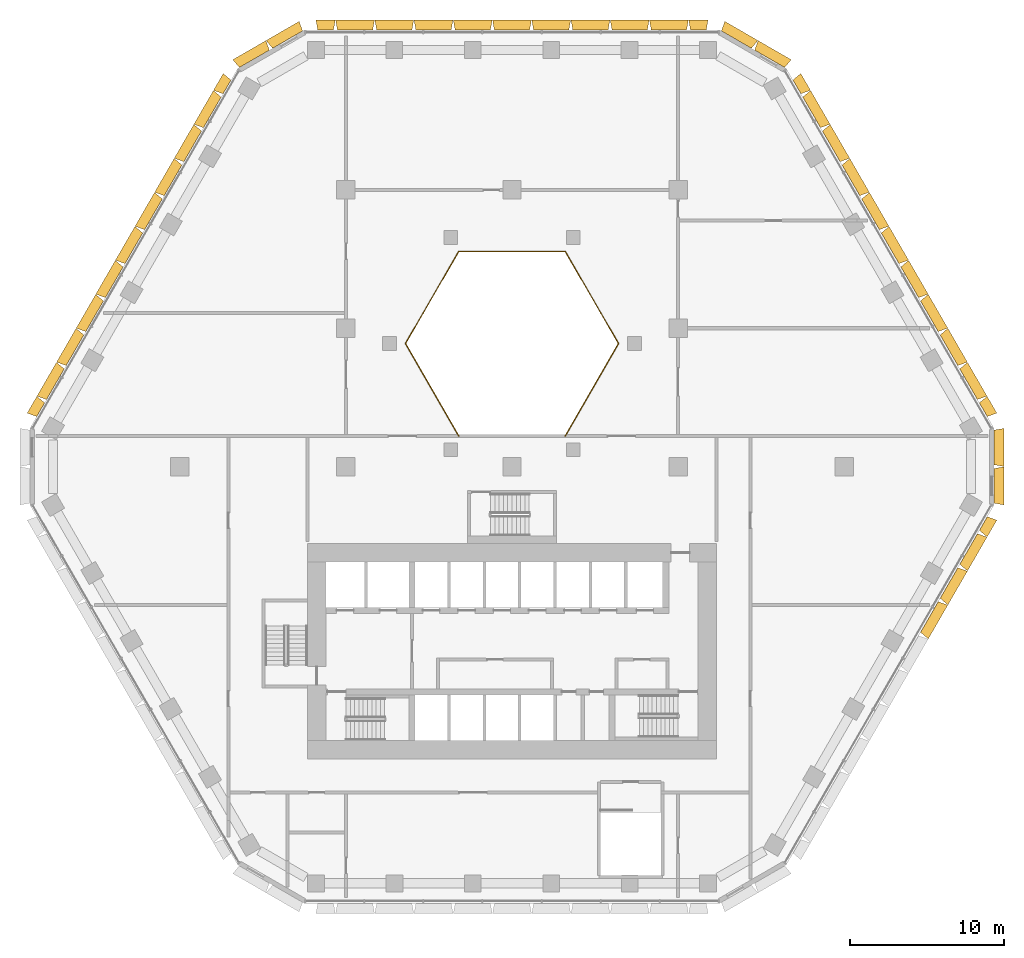
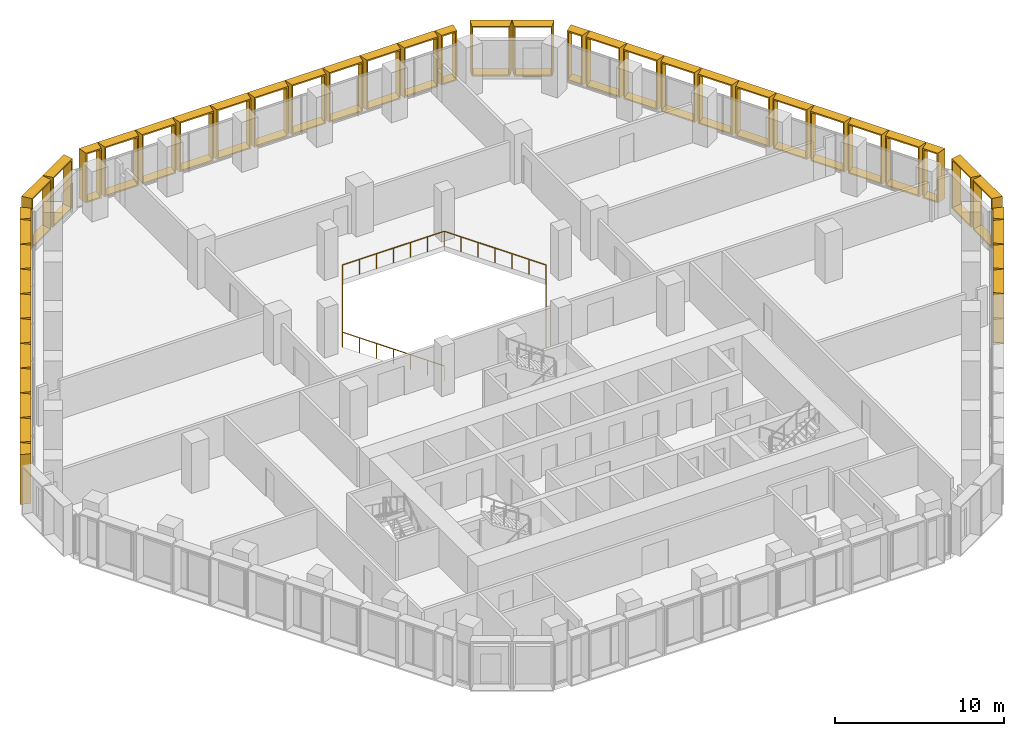
# One storey, part 21 of 21: 43 shading devices, 1 railing.
"""IFC4 building model written with IfcOpenShell, lengths in metres."""

from ifc_helpers import new_model, entity, si_unit, direction, frame, origin, origin_2d, place, context, subcontext, project, spatial, rectangle, extrude, source, transform, mapped, material, type_object, type_shapes, element, save


model = new_model("IFC4")

# Units and contexts
model_context = context("Model", 3, precision=1e-05, world=origin(), true_north=direction((0.0, 1.0)))
body_context = subcontext(model_context, "Body", "Model", "MODEL_VIEW")
ifc_project = project(units=[si_unit("LENGTHUNIT", "METRE"), si_unit("AREAUNIT", "SQUARE_METRE"), si_unit("VOLUMEUNIT", "CUBIC_METRE"), si_unit("PLANEANGLEUNIT", "RADIAN"), si_unit("MASSUNIT", "GRAM", prefix="KILO")], contexts=[model_context])

# Site, building, storey
site_placement = place(None, origin())
site = spatial("IfcSite", under=ifc_project, at=site_placement, CompositionType="ELEMENT")
building_placement = place(site_placement, origin())
building = spatial("IfcBuilding", under=site, at=building_placement, Name="Beryl Residences", CompositionType="ELEMENT")
storey_placement = place(building_placement, frame((0.0, 0.0, 19.800048828125)))
storey = spatial("IfcBuildingStorey", under=building, at=storey_placement, Name="L05", CompositionType="ELEMENT", Elevation=19.800048828125)

# Railing
ifc_material_1 = material(Name="Stainless steel balustrade with glass infill", Category="steel")
railing_type = type_object("IfcRailingType", Name="EG1 edge guard 1100 mm", PredefinedType="GUARDRAIL", material=ifc_material_1)
railing_placement = place(storey_placement, frame((3.464111328125, 2.0, 0.0)))
element("IfcRailing", 1, at=railing_placement, inside=storey, type_object=railing_type, Name="L05 guard 2", PredefinedType="GUARDRAIL", context=body_context, shape_type="SweptSolid", body=[
    extrude(rectangle(XDim=0.048095703125, YDim=0.048095703125, at=origin_2d()), frame((0.0, 0.0, 1.076171875), z_axis=(0.49997462182, 0.866040055388, 0.0), x_axis=(-0.866040055388, 0.49997462182, 0.0)), (0.0, 0.0, 1.0), 6.927978515625),
    extrude(rectangle(XDim=0.048095703125, YDim=0.048095703125, at=origin_2d()), frame((3.4638671875, 6.0, 1.076171875), z_axis=(-0.49997462182, 0.866040055388, 0.0), x_axis=(-0.866040055388, -0.49997462182, 0.0)), (0.0, 0.0, 1.0), 6.927978515625),
    extrude(rectangle(XDim=0.048095703125, YDim=0.048095703125, at=origin_2d()), frame((0.0, 12.0, 1.076171875), z_axis=(-1.0, 0.0, 0.0), x_axis=(0.0, -1.0, 0.0)), (0.0, 0.0, 1.0), 6.92822265625),
    extrude(rectangle(XDim=0.048095703125, YDim=0.048095703125, at=origin_2d()), frame((-6.92822265625, 12.0, 1.076171875), z_axis=(-0.49997462182, -0.866040055388, 0.0), x_axis=(0.866040055388, -0.49997462182, 0.0)), (0.0, 0.0, 1.0), 6.927978515625),
    extrude(rectangle(XDim=0.048095703125, YDim=0.048095703125, at=origin_2d()), frame((-10.39208984375, 6.0, 1.076171875), z_axis=(0.49997462182, -0.866040055388, 0.0), x_axis=(0.866040055388, 0.49997462182, 0.0)), (0.0, 0.0, 1.0), 6.927978515625),
    extrude(rectangle(XDim=0.0419921875, YDim=0.0419921875, at=origin_2d()), origin(), (0.0, 0.0, 1.0), 1.052001953125),
    extrude(rectangle(XDim=0.0419921875, YDim=0.0419921875, at=origin_2d()), frame((0.577392578125, 1.0, 0.0)), (0.0, 0.0, 1.0), 1.052001953125),
    extrude(rectangle(XDim=0.0419921875, YDim=0.0419921875, at=origin_2d()), frame((1.154541015625, 2.0, 0.0)), (0.0, 0.0, 1.0), 1.052001953125),
    extrude(rectangle(XDim=0.0419921875, YDim=0.0419921875, at=origin_2d()), frame((1.73193359375, 3.0, 0.0)), (0.0, 0.0, 1.0), 1.052001953125),
    extrude(rectangle(XDim=0.0419921875, YDim=0.0419921875, at=origin_2d()), frame((2.309326171875, 4.0, 0.0)), (0.0, 0.0, 1.0), 1.052001953125),
    extrude(rectangle(XDim=0.0419921875, YDim=0.0419921875, at=origin_2d()), frame((2.886474609375, 5.0, 0.0)), (0.0, 0.0, 1.0), 1.052001953125),
    extrude(rectangle(XDim=0.0419921875, YDim=0.0419921875, at=origin_2d()), frame((3.4638671875, 6.0, 0.0)), (0.0, 0.0, 1.0), 1.052001953125),
    extrude(rectangle(XDim=0.0419921875, YDim=0.0419921875, at=origin_2d()), frame((2.886474609375, 7.0, 0.0)), (0.0, 0.0, 1.0), 1.052001953125),
    extrude(rectangle(XDim=0.0419921875, YDim=0.0419921875, at=origin_2d()), frame((2.309326171875, 8.0, 0.0)), (0.0, 0.0, 1.0), 1.052001953125),
    extrude(rectangle(XDim=0.0419921875, YDim=0.0419921875, at=origin_2d()), frame((1.73193359375, 9.0, 0.0)), (0.0, 0.0, 1.0), 1.052001953125),
    extrude(rectangle(XDim=0.0419921875, YDim=0.0419921875, at=origin_2d()), frame((1.154541015625, 10.0, 0.0)), (0.0, 0.0, 1.0), 1.052001953125),
    extrude(rectangle(XDim=0.0419921875, YDim=0.0419921875, at=origin_2d()), frame((0.577392578125, 11.0, 0.0)), (0.0, 0.0, 1.0), 1.052001953125),
    extrude(rectangle(XDim=0.0419921875, YDim=0.0419921875, at=origin_2d()), frame((0.0, 12.0, 0.0)), (0.0, 0.0, 1.0), 1.052001953125),
    extrude(rectangle(XDim=0.0419921875, YDim=0.0419921875, at=origin_2d()), frame((-1.15478515625, 12.0, 0.0)), (0.0, 0.0, 1.0), 1.052001953125),
    extrude(rectangle(XDim=0.0419921875, YDim=0.0419921875, at=origin_2d()), frame((-2.309326171875, 12.0, 0.0)), (0.0, 0.0, 1.0), 1.052001953125),
    extrude(rectangle(XDim=0.0419921875, YDim=0.0419921875, at=origin_2d()), frame((-3.464111328125, 12.0, 0.0)), (0.0, 0.0, 1.0), 1.052001953125),
    extrude(rectangle(XDim=0.0419921875, YDim=0.0419921875, at=origin_2d()), frame((-4.618896484375, 12.0, 0.0)), (0.0, 0.0, 1.0), 1.052001953125),
    extrude(rectangle(XDim=0.0419921875, YDim=0.0419921875, at=origin_2d()), frame((-5.7734375, 12.0, 0.0)), (0.0, 0.0, 1.0), 1.052001953125),
    extrude(rectangle(XDim=0.0419921875, YDim=0.0419921875, at=origin_2d()), frame((-6.92822265625, 12.0, 0.0)), (0.0, 0.0, 1.0), 1.052001953125),
    extrude(rectangle(XDim=0.0419921875, YDim=0.0419921875, at=origin_2d()), frame((-7.505615234375, 11.0, 0.0)), (0.0, 0.0, 1.0), 1.052001953125),
    extrude(rectangle(XDim=0.0419921875, YDim=0.0419921875, at=origin_2d()), frame((-8.082763671875, 10.0, 0.0)), (0.0, 0.0, 1.0), 1.052001953125),
    extrude(rectangle(XDim=0.0419921875, YDim=0.0419921875, at=origin_2d()), frame((-8.66015625, 9.0, 0.0)), (0.0, 0.0, 1.0), 1.052001953125),
    extrude(rectangle(XDim=0.0419921875, YDim=0.0419921875, at=origin_2d()), frame((-9.237548828125, 8.0, 0.0)), (0.0, 0.0, 1.0), 1.052001953125),
    extrude(rectangle(XDim=0.0419921875, YDim=0.0419921875, at=origin_2d()), frame((-9.814697265625, 7.0, 0.0)), (0.0, 0.0, 1.0), 1.052001953125),
    extrude(rectangle(XDim=0.0419921875, YDim=0.0419921875, at=origin_2d()), frame((-10.39208984375, 6.0, 0.0)), (0.0, 0.0, 1.0), 1.052001953125),
    extrude(rectangle(XDim=0.0419921875, YDim=0.0419921875, at=origin_2d()), frame((-9.814697265625, 5.0, 0.0)), (0.0, 0.0, 1.0), 1.052001953125),
    extrude(rectangle(XDim=0.0419921875, YDim=0.0419921875, at=origin_2d()), frame((-9.237548828125, 4.0, 0.0)), (0.0, 0.0, 1.0), 1.052001953125),
    extrude(rectangle(XDim=0.0419921875, YDim=0.0419921875, at=origin_2d()), frame((-8.66015625, 3.0, 0.0)), (0.0, 0.0, 1.0), 1.052001953125),
    extrude(rectangle(XDim=0.0419921875, YDim=0.0419921875, at=origin_2d()), frame((-8.082763671875, 2.0, 0.0)), (0.0, 0.0, 1.0), 1.052001953125),
    extrude(rectangle(XDim=0.0419921875, YDim=0.0419921875, at=origin_2d()), frame((-7.505615234375, 1.0, 0.0)), (0.0, 0.0, 1.0), 1.052001953125),
    extrude(rectangle(XDim=0.0419921875, YDim=0.0419921875, at=origin_2d()), frame((-6.92822265625, 0.0, 0.0)), (0.0, 0.0, 1.0), 1.052001953125),
])

# Shading devices
ifc_material_2 = material(Name="Aluminium pale anodised", Category="aluminium")
shading_device_type_1 = type_object("IfcShadingDeviceType", Name="FR128-65A-H36 OUTER SKIN frame 650 mm deep, splay 10/10 deg, 1280 x 3600 mm cell", PredefinedType="USERDEFINED", material=ifc_material_2)
cartesian_point_1 = entity("IfcCartesianPoint", [-0.514892578125, 0.0])
cartesian_point_2 = entity("IfcCartesianPoint", [-0.433837890625, 0.10009765625])
cartesian_point_3 = entity("IfcCartesianPoint", [-0.629638671875, 0.0])
cartesian_point_4 = entity("IfcCartesianPoint", [-0.54833984375, 0.10009765625])
shared_shape_1 = source(origin(), body_context, "Body", "SweptSolid", [
    entity("IfcExtrudedAreaSolidTapered", entity("IfcArbitraryProfileDefWithVoids", "AREA", None, entity("IfcPolyline", [cartesian_point_1, entity("IfcCartesianPoint", [0.514892578125, 0.0]), entity("IfcCartesianPoint", [0.514892578125, 3.60009765625]), entity("IfcCartesianPoint", [-0.514892578125, 3.60009765625]), cartesian_point_1]), [entity("IfcPolyline", [cartesian_point_2, entity("IfcCartesianPoint", [0.433837890625, 0.10009765625]), entity("IfcCartesianPoint", [0.433837890625, 3.5]), entity("IfcCartesianPoint", [-0.433837890625, 3.5]), cartesian_point_2])]), entity("IfcAxis2Placement3D", entity("IfcCartesianPoint", [0.0, 0.0, 0.0]), entity("IfcDirection", [0.0, 1.0, 0.0]), entity("IfcDirection", [-1.0, 0.0, 0.0])), entity("IfcDirection", [0.0, 0.0, 1.0]), 0.64990234375, entity("IfcArbitraryProfileDefWithVoids", "AREA", None, entity("IfcPolyline", [cartesian_point_3, entity("IfcCartesianPoint", [0.629638671875, 0.0]), entity("IfcCartesianPoint", [0.629638671875, 3.60009765625]), entity("IfcCartesianPoint", [-0.629638671875, 3.60009765625]), cartesian_point_3]), [entity("IfcPolyline", [cartesian_point_4, entity("IfcCartesianPoint", [0.54833984375, 0.10009765625]), entity("IfcCartesianPoint", [0.54833984375, 3.5]), entity("IfcCartesianPoint", [-0.54833984375, 3.5]), cartesian_point_4])])),
])
type_shapes(shading_device_type_1, [shared_shape_1])
for number, where, z_axis, x_axis, name in (
    (2, (12.12109375, 28.39990234375, 0.0), (0.0, 0.0, 1.0), (1.0, 0.0, 0.0), "FR128-65A-H36 frame L05 N 1"),
    (3, (-12.123046875, 28.39990234375, 0.0), (0.0, 0.0, 1.0), (1.0, 0.0, 0.0), "FR128-65A-H36 frame L05 N 11"),
    (4, (-18.534912109375, 24.697021484375, 0.0), (0.0, 0.0, 1.0), (0.5, 0.866025403784, 0.0), "FR128-65A-H36 frame L05 NW 1"),
    (5, (-30.656005859375, 3.700927734375, 0.0), (0.0, 0.0, 1.0), (0.5, 0.866025403784, 0.0), "FR128-65A-H36 frame L05 NW 11"),
    (6, (30.656005859375, -3.700927734375, 0.0), (0.0, 0.0, 1.0), (-0.5, -0.866025403784, 0.0), "FR128-65A-H36 frame L05 SE 11"),
    (7, (30.655029296875, 3.702880859375, 0.0), (0.0, 0.0, 1.0), (0.5, -0.866025403784, 0.0), "FR128-65A-H36 frame L05 NE 1"),
    (8, (18.533935546875, 24.698974609375, 0.0), (0.0, 0.0, 1.0), (0.5, -0.866025403784, 0.0), "FR128-65A-H36 frame L05 NE 11"),
):
    element("IfcShadingDevice", number, at=place(storey_placement, frame(where, z_axis=z_axis, x_axis=x_axis)), inside=storey, type_object=shading_device_type_1, Name=name, ObjectType="OUTER SKIN", PredefinedType="USERDEFINED", context=body_context, shape_type="MappedRepresentation", body=[
        mapped(shared_shape_1, transform((0.0, 0.0, 0.0))),
    ])
ifc_material_3 = material(Name="Aluminium pale anodised", Category="aluminium")
shading_device_type_2 = type_object("IfcShadingDeviceType", Name="FR250-65A-H36 OUTER SKIN frame 650 mm deep, splay 10/10 deg, 2500 x 3600 mm cell", PredefinedType="USERDEFINED", material=ifc_material_3)
cartesian_point_5 = entity("IfcCartesianPoint", [-1.125, 0.0])
cartesian_point_6 = entity("IfcCartesianPoint", [-1.043701171875, 0.10009765625])
cartesian_point_7 = entity("IfcCartesianPoint", [-1.239501953125, 0.0])
cartesian_point_8 = entity("IfcCartesianPoint", [-1.158447265625, 0.10009765625])
shared_shape_2 = source(origin(), body_context, "Body", "SweptSolid", [
    entity("IfcExtrudedAreaSolidTapered", entity("IfcArbitraryProfileDefWithVoids", "AREA", None, entity("IfcPolyline", [cartesian_point_5, entity("IfcCartesianPoint", [1.125, 0.0]), entity("IfcCartesianPoint", [1.125, 3.60009765625]), entity("IfcCartesianPoint", [-1.125, 3.60009765625]), cartesian_point_5]), [entity("IfcPolyline", [cartesian_point_6, entity("IfcCartesianPoint", [1.043701171875, 0.10009765625]), entity("IfcCartesianPoint", [1.043701171875, 3.5]), entity("IfcCartesianPoint", [-1.043701171875, 3.5]), cartesian_point_6])]), entity("IfcAxis2Placement3D", entity("IfcCartesianPoint", [0.0, 0.0, 0.0]), entity("IfcDirection", [0.0, 1.0, 0.0]), entity("IfcDirection", [-1.0, 0.0, 0.0])), entity("IfcDirection", [0.0, 0.0, 1.0]), 0.64990234375, entity("IfcArbitraryProfileDefWithVoids", "AREA", None, entity("IfcPolyline", [cartesian_point_7, entity("IfcCartesianPoint", [1.239501953125, 0.0]), entity("IfcCartesianPoint", [1.239501953125, 3.60009765625]), entity("IfcCartesianPoint", [-1.239501953125, 3.60009765625]), cartesian_point_7]), [entity("IfcPolyline", [cartesian_point_8, entity("IfcCartesianPoint", [1.158447265625, 0.10009765625]), entity("IfcCartesianPoint", [1.158447265625, 3.5]), entity("IfcCartesianPoint", [-1.158447265625, 3.5]), cartesian_point_8])])),
])
type_shapes(shading_device_type_2, [shared_shape_2])
for number, where, z_axis, x_axis, name in (
    (9, (-14.593017578125, 27.77490234375, 0.0), (0.0, 0.0, 1.0), (0.866025403784, 0.5, 0.0), "FR250-65A-H36 frame L05 N-NW 1"),
    (10, (-16.758056640625, 26.52490234375, 0.0), (0.0, 0.0, 1.0), (0.866025403784, 0.5, 0.0), "FR250-65A-H36 frame L05 N-NW 2"),
    (11, (31.35009765625, -1.25, 0.0), (0.0, 0.0, 1.0), (0.0, -1.0, 0.0), "FR250-65A-H36 frame L05 SE-NE 1"),
    (12, (31.35009765625, 1.25, 0.0), (0.0, 0.0, 1.0), (0.0, -1.0, 0.0), "FR250-65A-H36 frame L05 SE-NE 2"),
    (13, (16.758056640625, 26.52490234375, 0.0), (0.0, 0.0, 1.0), (0.866025403784, -0.5, 0.0), "FR250-65A-H36 frame L05 NE-N 1"),
    (14, (14.593017578125, 27.77490234375, 0.0), (0.0, 0.0, 1.0), (0.866025403784, -0.5, 0.0), "FR250-65A-H36 frame L05 NE-N 2"),
):
    element("IfcShadingDevice", number, at=place(storey_placement, frame(where, z_axis=z_axis, x_axis=x_axis)), inside=storey, type_object=shading_device_type_2, Name=name, ObjectType="OUTER SKIN", PredefinedType="USERDEFINED", context=body_context, shape_type="MappedRepresentation", body=[
        mapped(shared_shape_2, transform((0.0, 0.0, 0.0))),
    ])
ifc_material_4 = material(Name="Aluminium pale anodised", Category="aluminium")
shading_device_type_3 = type_object("IfcShadingDeviceType", Name="FR255-65A-H36 OUTER SKIN frame 650 mm deep, splay 10/10 deg, 2550 x 3600 mm cell", PredefinedType="USERDEFINED", material=ifc_material_4)
cartesian_point_9 = entity("IfcCartesianPoint", [-1.14990234375, 0.0])
cartesian_point_10 = entity("IfcCartesianPoint", [-1.06884765625, 0.10009765625])
cartesian_point_11 = entity("IfcCartesianPoint", [-1.2646484375, 0.0])
cartesian_point_12 = entity("IfcCartesianPoint", [-1.183349609375, 0.10009765625])
shared_shape_3 = source(origin(), body_context, "Body", "SweptSolid", [
    entity("IfcExtrudedAreaSolidTapered", entity("IfcArbitraryProfileDefWithVoids", "AREA", None, entity("IfcPolyline", [cartesian_point_9, entity("IfcCartesianPoint", [1.14990234375, 0.0]), entity("IfcCartesianPoint", [1.14990234375, 3.60009765625]), entity("IfcCartesianPoint", [-1.14990234375, 3.60009765625]), cartesian_point_9]), [entity("IfcPolyline", [cartesian_point_10, entity("IfcCartesianPoint", [1.06884765625, 0.10009765625]), entity("IfcCartesianPoint", [1.06884765625, 3.5]), entity("IfcCartesianPoint", [-1.06884765625, 3.5]), cartesian_point_10])]), entity("IfcAxis2Placement3D", entity("IfcCartesianPoint", [0.0, 0.0, 0.0]), entity("IfcDirection", [0.0, 1.0, 0.0]), entity("IfcDirection", [-1.0, 0.0, 0.0])), entity("IfcDirection", [0.0, 0.0, 1.0]), 0.64990234375, entity("IfcArbitraryProfileDefWithVoids", "AREA", None, entity("IfcPolyline", [cartesian_point_11, entity("IfcCartesianPoint", [1.2646484375, 0.0]), entity("IfcCartesianPoint", [1.2646484375, 3.60009765625]), entity("IfcCartesianPoint", [-1.2646484375, 3.60009765625]), cartesian_point_11]), [entity("IfcPolyline", [cartesian_point_12, entity("IfcCartesianPoint", [1.183349609375, 0.10009765625]), entity("IfcCartesianPoint", [1.183349609375, 3.5]), entity("IfcCartesianPoint", [-1.183349609375, 3.5]), cartesian_point_12])])),
])
type_shapes(shading_device_type_3, [shared_shape_3])
for number, where, z_axis, x_axis, name in (
    (15, (10.20703125, 28.39990234375, 0.0), (0.0, 0.0, 1.0), (1.0, 0.0, 0.0), "FR255-65A-H36 frame L05 N 2"),
    (16, (7.655029296875, 28.39990234375, 0.0), (0.0, 0.0, 1.0), (1.0, 0.0, 0.0), "FR255-65A-H36 frame L05 N 3"),
    (17, (5.10302734375, 28.39990234375, 0.0), (0.0, 0.0, 1.0), (1.0, 0.0, 0.0), "FR255-65A-H36 frame L05 N 4"),
    (18, (2.551025390625, 28.39990234375, 0.0), (0.0, 0.0, 1.0), (1.0, 0.0, 0.0), "FR255-65A-H36 frame L05 N 5"),
    (19, (-0.0009765625, 28.39990234375, 0.0), (0.0, 0.0, 1.0), (1.0, 0.0, 0.0), "FR255-65A-H36 frame L05 N 6"),
    (20, (-2.552978515625, 28.39990234375, 0.0), (0.0, 0.0, 1.0), (1.0, 0.0, 0.0), "FR255-65A-H36 frame L05 N 7"),
    (21, (-5.10498046875, 28.39990234375, 0.0), (0.0, 0.0, 1.0), (1.0, 0.0, 0.0), "FR255-65A-H36 frame L05 N 8"),
    (22, (-7.656982421875, 28.39990234375, 0.0), (0.0, 0.0, 1.0), (1.0, 0.0, 0.0), "FR255-65A-H36 frame L05 N 9"),
    (23, (-10.208984375, 28.39990234375, 0.0), (0.0, 0.0, 1.0), (1.0, 0.0, 0.0), "FR255-65A-H36 frame L05 N 10"),
    (24, (-19.491943359375, 23.0400390625, 0.0), (0.0, 0.0, 1.0), (0.5, 0.866025403784, 0.0), "FR255-65A-H36 frame L05 NW 2"),
    (25, (-20.76806640625, 20.830078125, 0.0), (0.0, 0.0, 1.0), (0.5, 0.866025403784, 0.0), "FR255-65A-H36 frame L05 NW 3"),
    (26, (-22.0439453125, 18.618896484375, 0.0), (0.0, 0.0, 1.0), (0.5, 0.866025403784, 0.0), "FR255-65A-H36 frame L05 NW 4"),
    (27, (-23.320068359375, 16.408935546875, 0.0), (0.0, 0.0, 1.0), (0.5, 0.866025403784, 0.0), "FR255-65A-H36 frame L05 NW 5"),
    (28, (-24.594970703125, 14.198974609375, 0.0), (0.0, 0.0, 1.0), (0.5, 0.866025403784, 0.0), "FR255-65A-H36 frame L05 NW 6"),
    (29, (-25.87109375, 11.989013671875, 0.0), (0.0, 0.0, 1.0), (0.5, 0.866025403784, 0.0), "FR255-65A-H36 frame L05 NW 7"),
    (30, (-27.14697265625, 9.779052734375, 0.0), (0.0, 0.0, 1.0), (0.5, 0.866025403784, 0.0), "FR255-65A-H36 frame L05 NW 8"),
    (31, (-28.423095703125, 7.569091796875, 0.0), (0.0, 0.0, 1.0), (0.5, 0.866025403784, 0.0), "FR255-65A-H36 frame L05 NW 9"),
    (32, (-29.698974609375, 5.35888671875, 0.0), (0.0, 0.0, 1.0), (0.5, 0.866025403784, 0.0), "FR255-65A-H36 frame L05 NW 10"),
    (33, (27.14697265625, -9.779052734375, 0.0), (0.0, 0.0, 1.0), (-0.5, -0.866025403784, 0.0), "FR255-65A-H36 frame L05 SE 8"),
    (34, (28.423095703125, -7.569091796875, 0.0), (0.0, 0.0, 1.0), (-0.5, -0.866025403784, 0.0), "FR255-65A-H36 frame L05 SE 9"),
    (35, (29.698974609375, -5.35888671875, 0.0), (0.0, 0.0, 1.0), (-0.5, -0.866025403784, 0.0), "FR255-65A-H36 frame L05 SE 10"),
    (36, (29.697998046875, 5.360107421875, 0.0), (0.0, 0.0, 1.0), (0.5, -0.866025403784, 0.0), "FR255-65A-H36 frame L05 NE 2"),
    (37, (28.422119140625, 7.570068359375, 0.0), (0.0, 0.0, 1.0), (0.5, -0.866025403784, 0.0), "FR255-65A-H36 frame L05 NE 3"),
    (38, (27.14599609375, 9.781005859375, 0.0), (0.0, 0.0, 1.0), (0.5, -0.866025403784, 0.0), "FR255-65A-H36 frame L05 NE 4"),
    (39, (25.8701171875, 11.990966796875, 0.0), (0.0, 0.0, 1.0), (0.5, -0.866025403784, 0.0), "FR255-65A-H36 frame L05 NE 5"),
    (40, (24.594970703125, 14.200927734375, 0.0), (0.0, 0.0, 1.0), (0.5, -0.866025403784, 0.0), "FR255-65A-H36 frame L05 NE 6"),
    (41, (23.319091796875, 16.410888671875, 0.0), (0.0, 0.0, 1.0), (0.5, -0.866025403784, 0.0), "FR255-65A-H36 frame L05 NE 7"),
    (42, (22.04296875, 18.62109375, 0.0), (0.0, 0.0, 1.0), (0.5, -0.866025403784, 0.0), "FR255-65A-H36 frame L05 NE 8"),
    (43, (20.76708984375, 20.8310546875, 0.0), (0.0, 0.0, 1.0), (0.5, -0.866025403784, 0.0), "FR255-65A-H36 frame L05 NE 9"),
    (44, (19.490966796875, 23.041015625, 0.0), (0.0, 0.0, 1.0), (0.5, -0.866025403784, 0.0), "FR255-65A-H36 frame L05 NE 10"),
):
    element("IfcShadingDevice", number, at=place(storey_placement, frame(where, z_axis=z_axis, x_axis=x_axis)), inside=storey, type_object=shading_device_type_3, Name=name, ObjectType="OUTER SKIN", PredefinedType="USERDEFINED", context=body_context, shape_type="MappedRepresentation", body=[
        mapped(shared_shape_3, transform((0.0, 0.0, 0.0))),
    ])

save(model, "model.ifc")
